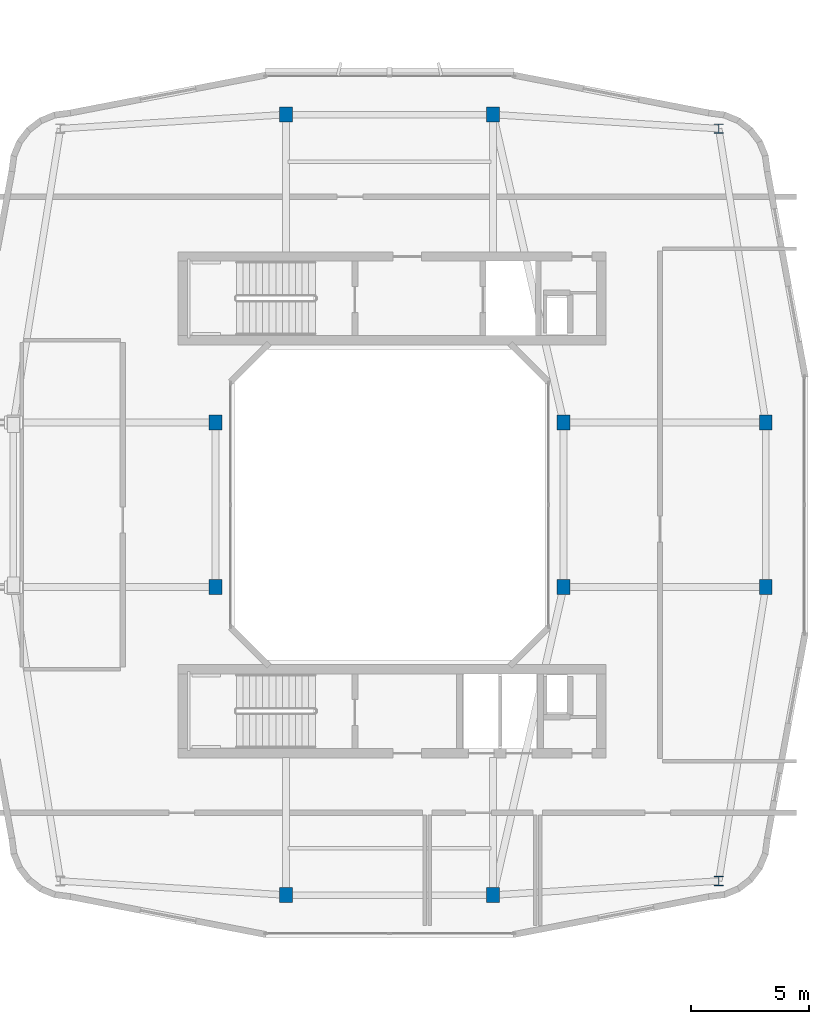
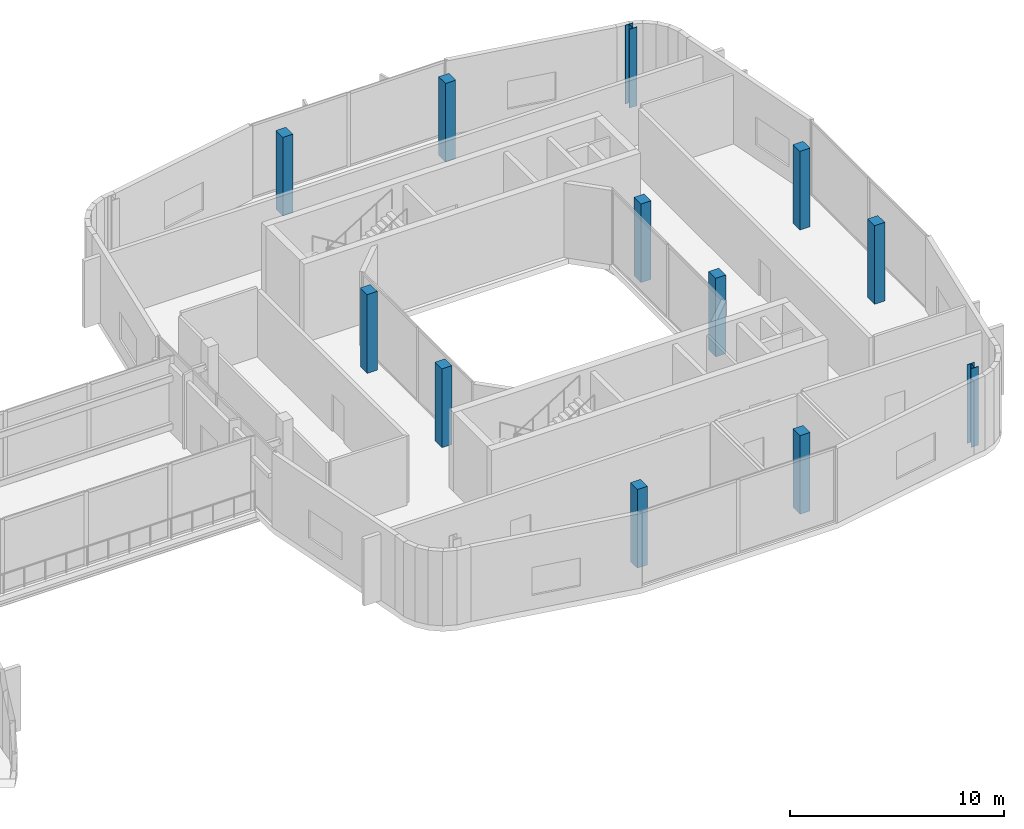
# One storey, part 2 of 24: 12 columns.
"""IFC4 building model written with IfcOpenShell, lengths in metres."""

from ifc_helpers import new_model, si_unit, derived_unit, direction, frame, origin, origin_2d, place, context, subcontext, project, spatial, rectangle, i_section, extrude, material, material_profile, profile_set, type_object, element, save


model = new_model("IFC4")

# Units and contexts
model_context = context("Model", 3, precision=1e-05, world=origin(), true_north=direction((0.0, 1.0)))
body_context = subcontext(model_context, "Body", "Model", "MODEL_VIEW")
ifc_project = project(units=[si_unit("LENGTHUNIT", "METRE"), si_unit("AREAUNIT", "SQUARE_METRE"), si_unit("VOLUMEUNIT", "CUBIC_METRE"), si_unit("PLANEANGLEUNIT", "RADIAN"), si_unit("MASSUNIT", "GRAM", prefix="KILO"), derived_unit("THERMALTRANSMITTANCEUNIT", [(si_unit("POWERUNIT", "WATT"), 1), (si_unit("LENGTHUNIT", "METRE"), -2), (si_unit("THERMODYNAMICTEMPERATUREUNIT", "KELVIN"), -1)])], contexts=[model_context])

# Site, building, storey
site_placement = place(None, origin())
site = spatial("IfcSite", under=ifc_project, at=site_placement, CompositionType="ELEMENT")
building_placement = place(site_placement, origin())
building = spatial("IfcBuilding", under=site, at=building_placement, Name="Kivonza Crest Hotel", CompositionType="ELEMENT")
storey_placement = place(building_placement, frame((0.0, 0.0, 119.5)))
storey = spatial("IfcBuildingStorey", under=building, at=storey_placement, Name="L32", CompositionType="ELEMENT", Elevation=119.5)

# Columns
ifc_material_1 = material(Name="Concrete C50/60", Category="concrete")
ifc_material_profile_1 = material_profile(ifc_material_1, rectangle(XDim=0.550048828125, YDim=0.64990234375, at=origin_2d()), Name="RC 650x550")
ifc_profile_set_1 = profile_set([ifc_material_profile_1], Name="Concrete C50/60")
column_type_1 = type_object("IfcColumnType", Name="CL-RC-650x550", PredefinedType="COLUMN", material=ifc_profile_set_1)
for number, where, z_axis, x_axis, name in (
    (1, (72.60009765625, 8.39990234375, 0.0), (0.0, 0.0, 1.0), (1.0, 0.0, 0.0), "Companion Tower T2 L32 column S1"),
    (2, (81.39990234375, 8.39990234375, 0.0), (0.0, 0.0, 1.0), (1.0, 0.0, 0.0), "Companion Tower T2 L32 column S2"),
    (3, (72.60009765625, 41.60009765625, 0.0), (0.0, 0.0, 1.0), (1.0, 0.0, 0.0), "Companion Tower T2 L32 column N1"),
    (4, (81.39990234375, 41.60009765625, 0.0), (0.0, 0.0, 1.0), (1.0, 0.0, 0.0), "Companion Tower T2 L32 column N2"),
    (5, (93.0, 21.5, 0.0), (0.0, 0.0, 1.0), (1.0, 0.0, 0.0), "Companion Tower T2 L32 column E1"),
    (6, (93.0, 28.5, 0.0), (0.0, 0.0, 1.0), (1.0, 0.0, 0.0), "Companion Tower T2 L32 column E2"),
    (7, (69.60009765625, 21.5, 0.0), (0.0, 0.0, 1.0), (1.0, 0.0, 0.0), "Companion Tower T2 L32 column WL1"),
    (8, (69.60009765625, 28.5, 0.0), (0.0, 0.0, 1.0), (1.0, 0.0, 0.0), "Companion Tower T2 L32 column WL2"),
    (9, (84.39990234375, 21.5, 0.0), (0.0, 0.0, 1.0), (1.0, 0.0, 0.0), "Companion Tower T2 L32 column WR1"),
    (10, (84.39990234375, 28.5, 0.0), (0.0, 0.0, 1.0), (1.0, 0.0, 0.0), "Companion Tower T2 L32 column WR2"),
):
    element("IfcColumn", number, at=place(storey_placement, frame(where, z_axis=z_axis, x_axis=x_axis)), inside=storey, type_object=column_type_1, Name=name, PredefinedType="COLUMN", context=body_context, shape_type="SweptSolid", body=[
        extrude(rectangle(XDim=0.550048828125, YDim=0.64990234375, at=origin_2d()), origin(), (0.0, 0.0, 1.0), 4.5),
    ])
ifc_material_2 = material(Name="Steel S355", Category="steel")
ifc_material_profile_2 = material_profile(ifc_material_2, i_section(OverallWidth=0.406005859375, OverallDepth=0.416015625, WebThickness=0.02392578125, FlangeThickness=0.0390625, FilletRadius=0.014892578125, at=origin_2d()), Name="HD 400x382")
ifc_profile_set_2 = profile_set([ifc_material_profile_2], Name="Steel S355")
column_type_2 = type_object("IfcColumnType", Name="CL-ST-HD400", PredefinedType="COLUMN", material=ifc_profile_set_2)
for number, where, z_axis, x_axis, name in (
    (11, (91.0, 9.0, 0.0), (0.0, 0.0, 1.0), (1.0, 0.0, 0.0), "Companion Tower T2 L32 column SE"),
    (12, (91.0, 41.0, 0.0), (0.0, 0.0, 1.0), (1.0, 0.0, 0.0), "Companion Tower T2 L32 column NE"),
):
    element("IfcColumn", number, at=place(storey_placement, frame(where, z_axis=z_axis, x_axis=x_axis)), inside=storey, type_object=column_type_2, Name=name, PredefinedType="COLUMN", context=body_context, shape_type="SweptSolid", body=[
        extrude(i_section(OverallWidth=0.406005859375, OverallDepth=0.416015625, WebThickness=0.02392578125, FlangeThickness=0.0390625, FilletRadius=0.014892578125, at=origin_2d()), origin(), (0.0, 0.0, 1.0), 4.5),
    ])

save(model, "model.ifc")
